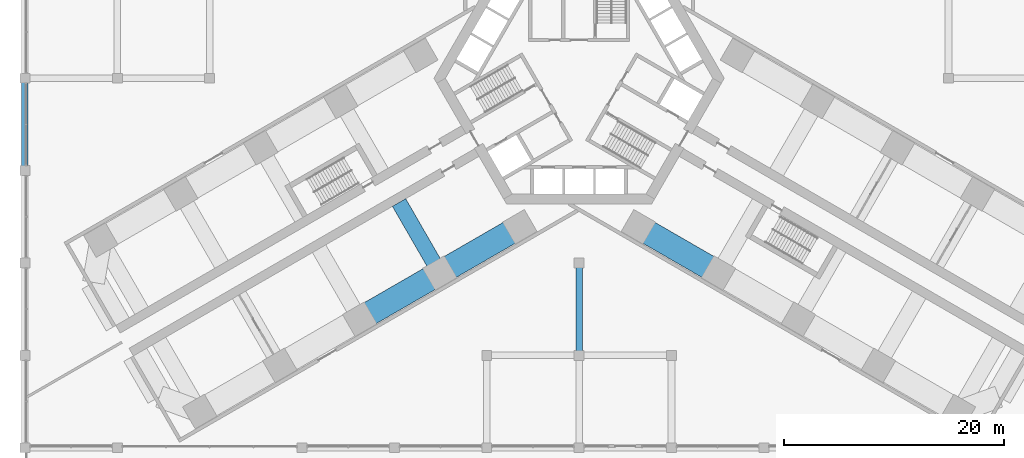
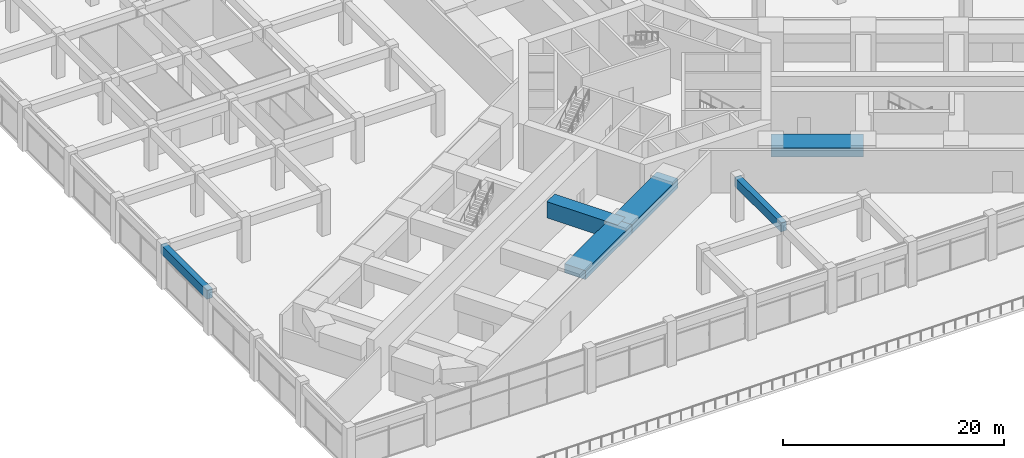
# One storey, part 6 of 36: 6 beams.
"""IFC4 building model written with IfcOpenShell, lengths in metres."""

from ifc_helpers import new_model, si_unit, direction, frame, origin, origin_2d, place, context, subcontext, project, spatial, rectangle, extrude, material, material_profile, profile_set, type_object, element, save


model = new_model("IFC4")

# Units and contexts
model_context = context("Model", 3, precision=1e-05, world=origin(), true_north=direction((0.0, 1.0)))
body_context = subcontext(model_context, "Body", "Model", "MODEL_VIEW")
ifc_project = project(units=[si_unit("LENGTHUNIT", "METRE"), si_unit("AREAUNIT", "SQUARE_METRE"), si_unit("VOLUMEUNIT", "CUBIC_METRE"), si_unit("PLANEANGLEUNIT", "RADIAN"), si_unit("MASSUNIT", "GRAM", prefix="KILO")], contexts=[model_context])

# Site, building, storey
site_placement = place(None, origin())
site = spatial("IfcSite", under=ifc_project, at=site_placement, CompositionType="ELEMENT")
building_placement = place(site_placement, origin())
building = spatial("IfcBuilding", under=site, at=building_placement, Name="Impinga Residences", CompositionType="ELEMENT")
storey_placement = place(building_placement, frame((0.0, 0.0, 6.0)))
storey = spatial("IfcBuildingStorey", under=building, at=storey_placement, Name="L01", CompositionType="ELEMENT", Elevation=6.0)

# Beams
ifc_material = material(Name="Concrete C60/75", Category="concrete")
ifc_material_profile_1 = material_profile(ifc_material, rectangle(XDim=1.39990234375, YDim=1.800048828125, at=origin_2d()), Name="RC 1400x1800")
ifc_profile_set_1 = profile_set([ifc_material_profile_1], Name="Concrete C60/75")
beam_type_1 = type_object("IfcBeamType", Name="CG4 1400x1800 cross girder on a wing bay line under the podium floors", PredefinedType="BEAM", material=ifc_profile_set_1)
beam_placement = place(storey_placement, frame((-16.37451171875, -11.301513671875, 3.800048828125), z_axis=(0.500003285667, -0.866023506795, 0.0), x_axis=(0.866023506795, 0.500003285667, 0.0)))
element("IfcBeam", 1, at=beam_placement, inside=storey, type_object=beam_type_1, Name="Beam CG4 W2 WC/WA level L02", PredefinedType="BEAM", context=body_context, shape_type="SweptSolid", body=[
    extrude(rectangle(XDim=1.39990234375, YDim=1.800048828125, at=origin_2d()), origin(), (0.0, 0.0, 1.0), 7.39990234375),
])
ifc_material_profile_2 = material_profile(ifc_material, rectangle(XDim=0.60009765625, YDim=1.0, at=origin_2d()), Name="RC 600x1000")
ifc_profile_set_2 = profile_set([ifc_material_profile_2], Name="Concrete C60/75")
beam_type_2 = type_object("IfcBeamType", Name="PB2 600x1000 podium beam", PredefinedType="BEAM", material=ifc_profile_set_2)
for number, where, z_axis, x_axis, name in (
    (2, (-50.39990234375, -8.39990234375, 4.199951171875), (0.0, 1.0, 0.0), (-1.0, 0.0, 0.0), "Beam PB2 1/E-F level L02"),
    (3, (0.0, -25.199951171875, 4.199951171875), (0.0, 1.0, 0.0), (-1.0, 0.0, 0.0), "Beam PB2 7/C-D level L02"),
):
    element("IfcBeam", number, at=place(storey_placement, frame(where, z_axis=z_axis, x_axis=x_axis)), inside=storey, type_object=beam_type_2, Name=name, PredefinedType="BEAM", context=body_context, shape_type="SweptSolid", body=[
        extrude(rectangle(XDim=0.60009765625, YDim=1.0, at=origin_2d()), origin(), (0.0, 0.0, 1.0), 8.39990234375),
    ])
ifc_material_profile_3 = material_profile(ifc_material, rectangle(XDim=2.199951171875, YDim=1.0, at=origin_2d()), Name="RC 2200x1000")
ifc_profile_set_3 = profile_set([ifc_material_profile_3], Name="Concrete C60/75")
beam_type_3 = type_object("IfcBeamType", Name="PB3 2200x1000 podium band beam", PredefinedType="BEAM", material=ifc_profile_set_3)
for number, where, z_axis, x_axis, name in (
    (4, (-5.39990234375, -13.510009765625, 4.199951171875), (-0.86602925447, -0.499993330357, 0.0), (0.499993330357, -0.86602925447, 0.0), "Beam PB3 WA W1-W2 level L02"),
    (5, (-12.674560546875, -17.7099609375, 4.199951171875), (-0.86602925447, -0.499993330357, 0.0), (0.499993330357, -0.86602925447, 0.0), "Beam PB3 WA W2-W3 level L02"),
    (6, (5.39990234375, -13.510009765625, 4.199951171875), (0.86602925447, -0.499993330357, 0.0), (0.499993330357, 0.86602925447, 0.0), "Beam PB3 EF E1-E2 level L02"),
):
    element("IfcBeam", number, at=place(storey_placement, frame(where, z_axis=z_axis, x_axis=x_axis)), inside=storey, type_object=beam_type_3, Name=name, PredefinedType="BEAM", context=body_context, shape_type="SweptSolid", body=[
        extrude(rectangle(XDim=2.199951171875, YDim=1.0, at=origin_2d()), origin(), (0.0, 0.0, 1.0), 8.39990234375),
    ])

save(model, "model.ifc")
